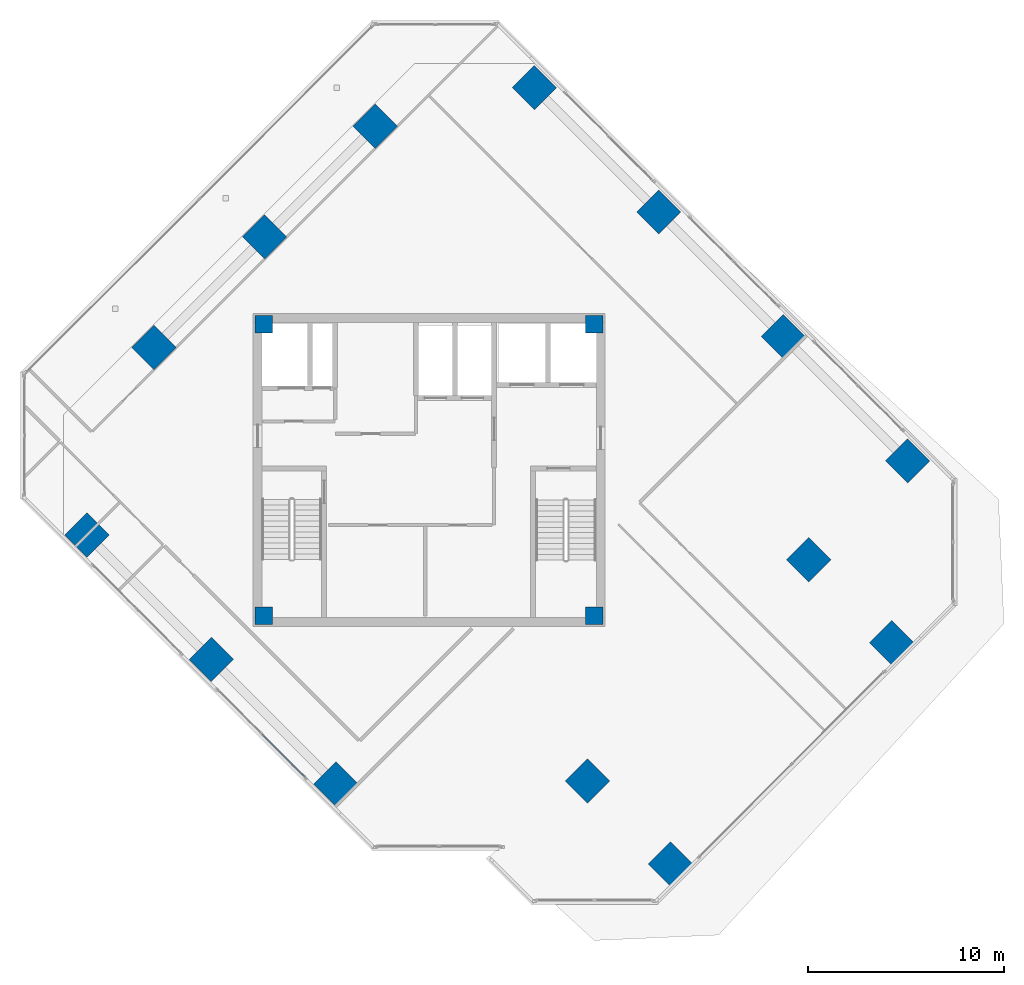
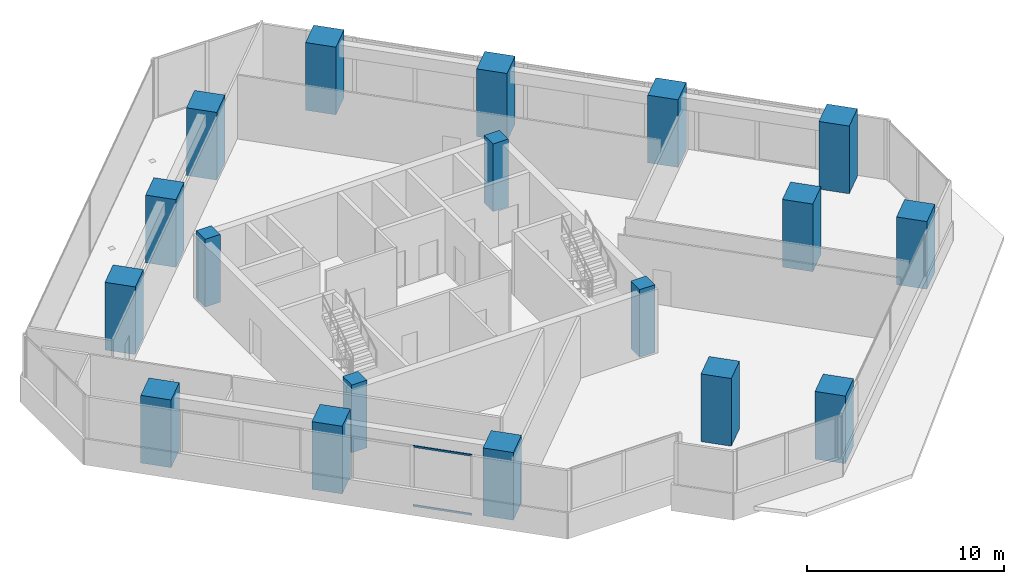
# One storey, part 1 of 17: 18 columns, 2 members, 1 element without a shape of its own.
"""IFC4 building model written with IfcOpenShell, lengths in metres."""

from ifc_helpers import new_model, si_unit, direction, frame, origin, origin_2d, place, context, subcontext, project, spatial, rectangle, hollow_rectangle, extrude, source, transform, mapped, material, material_profile, profile_set, type_object, element, aggregate, save


model = new_model("IFC4")

# Units and contexts
model_context = context("Model", 3, precision=1e-05, world=origin(), true_north=direction((0.0, 1.0)))
body_context = subcontext(model_context, "Body", "Model", "MODEL_VIEW")
ifc_project = project(units=[si_unit("LENGTHUNIT", "METRE"), si_unit("AREAUNIT", "SQUARE_METRE"), si_unit("VOLUMEUNIT", "CUBIC_METRE"), si_unit("PLANEANGLEUNIT", "RADIAN"), si_unit("MASSUNIT", "GRAM", prefix="KILO")], contexts=[model_context])

# Site, building, storey
site_placement = place(None, origin())
site = spatial("IfcSite", under=ifc_project, at=site_placement, CompositionType="ELEMENT")
building_placement = place(site_placement, origin())
building = spatial("IfcBuilding", under=site, at=building_placement, Name="Torre Montelarca", CompositionType="ELEMENT")
storey_placement = place(building_placement, frame((0.0, 0.0, 241.60009765625)))
storey = spatial("IfcBuildingStorey", under=building, at=storey_placement, Name="L54", CompositionType="ELEMENT", Elevation=241.60009765625)

# Columns
ifc_material_1 = material(Name="Concrete C55/67", Category="concrete")
ifc_material_profile_1 = material_profile(ifc_material_1, rectangle(XDim=0.89990234375, YDim=0.89990234375, at=origin_2d()), Name="RC900X900", Category="concrete")
ifc_profile_set_1 = profile_set([ifc_material_profile_1], Name="Concrete C55/67")
column_type_1 = type_object("IfcColumnType", Name="COL-RC900", PredefinedType="COLUMN", material=ifc_profile_set_1)
shared_shape_1 = source(origin(), body_context, "Body", "SweptSolid", [
    extrude(rectangle(XDim=0.89990234375, YDim=0.89990234375, at=origin_2d()), origin(), (0.0, 0.0, 1.0), 4.198486328125),
])
for number, where, z_axis, x_axis, name in (
    (1, (9.550048828125, 24.550048828125, 0.000732421875), (0.0, 0.0, 1.0), (1.0, 0.0, 0.0), "L54 Plumb Core Corner Column 2D"),
    (2, (26.449951171875, 24.550048828125, 0.000732421875), (0.0, 0.0, 1.0), (1.0, 0.0, 0.0), "L54 Plumb Core Corner Column 4D"),
    (3, (9.550048828125, 39.449951171875, 0.000732421875), (0.0, 0.0, 1.0), (1.0, 0.0, 0.0), "L54 Plumb Core Corner Column 2F"),
    (4, (26.449951171875, 39.449951171875, 0.000732421875), (0.0, 0.0, 1.0), (1.0, 0.0, 0.0), "L54 Plumb Core Corner Column 4F"),
):
    element("IfcColumn", number, at=place(storey_placement, frame(where, z_axis=z_axis, x_axis=x_axis)), inside=storey, type_object=column_type_1, Name=name, PredefinedType="COLUMN", context=body_context, shape_type="MappedRepresentation", body=[
        mapped(shared_shape_1, transform((0.0, 0.0, 0.0), scale=1.0)),
    ])
ifc_material_2 = material(Name="Concrete C70/85", Category="concrete")
ifc_material_profile_2 = material_profile(ifc_material_2, rectangle(XDim=1.60009765625, YDim=1.60009765625, at=origin_2d()), Name="RC1600X1600", Category="concrete")
ifc_profile_set_2 = profile_set([ifc_material_profile_2], Name="Concrete C70/85")
column_type_2 = type_object("IfcColumnType", Name="COL-RC1600-EXT", PredefinedType="COLUMN", material=ifc_profile_set_2)
shared_shape_2 = source(origin(), body_context, "Body", "SweptSolid", [
    extrude(rectangle(XDim=1.60009765625, YDim=1.60009765625, at=origin_2d()), origin(), (0.0, 0.0, 1.0), 4.198486328125),
])
for number, where, z_axis, x_axis, name in (
    (5, (0.498779296875, 28.676513671875, 0.000732421875), (0.0, 0.0, 1.0), (-0.707106781187, 0.707106781187, 0.0), "L54 Perimeter Mega Column 2/CS"),
    (6, (23.373779296875, 51.551513671875, 0.000732421875), (0.0, 0.0, 1.0), (-0.707106781187, 0.707106781187, 0.0), "L54 Perimeter Mega Column 2/GN"),
    (7, (6.86279296875, 22.3125, 0.000732421875), (0.0, 0.0, 1.0), (-0.707106781187, 0.707106781187, 0.0), "L54 Perimeter Mega Column 3/CS"),
    (8, (29.73779296875, 45.1875, 0.000732421875), (0.0, 0.0, 1.0), (-0.707106781187, 0.707106781187, 0.0), "L54 Perimeter Mega Column 3/GN"),
    (9, (13.226806640625, 15.94873046875, 0.000732421875), (0.0, 0.0, 1.0), (-0.707106781187, 0.707106781187, 0.0), "L54 Perimeter Mega Column 4/CS"),
    (10, (36.101806640625, 38.823486328125, 0.000732421875), (0.0, 0.0, 1.0), (-0.707106781187, 0.707106781187, 0.0), "L54 Perimeter Mega Column 4/GN"),
    (11, (42.4658203125, 32.459716796875, 0.000732421875), (0.0, 0.0, 1.0), (-0.707106781187, 0.707106781187, 0.0), "L54 Perimeter Mega Column 5/GN"),
    (12, (30.3388671875, 11.847412109375, 0.000732421875), (0.0, 0.0, 1.0), (-0.707106781187, 0.707106781187, 0.0), "L54 Perimeter Mega Column 6/D"),
    (13, (41.652587890625, 23.1611328125, 0.000732421875), (0.0, 0.0, 1.0), (-0.707106781187, 0.707106781187, 0.0), "L54 Perimeter Mega Column 6/F"),
    (14, (3.928466796875, 38.2578125, 0.000732421875), (0.0, 0.0, 1.0), (-0.707106781187, 0.707106781187, 0.0), "L54 Perimeter Mega Column 1W/D"),
    (15, (9.585205078125, 43.914794921875, 0.000732421875), (0.0, 0.0, 1.0), (-0.707106781187, 0.707106781187, 0.0), "L54 Perimeter Mega Column 1W/E"),
    (16, (15.2421875, 49.571533203125, 0.000732421875), (0.0, 0.0, 1.0), (-0.707106781187, 0.707106781187, 0.0), "L54 Perimeter Mega Column 1W/F"),
):
    element("IfcColumn", number, at=place(storey_placement, frame(where, z_axis=z_axis, x_axis=x_axis)), inside=storey, type_object=column_type_2, Name=name, PredefinedType="COLUMN", context=body_context, shape_type="MappedRepresentation", body=[
        mapped(shared_shape_2, transform((0.0, 0.0, 0.0), scale=1.0)),
    ])
ifc_material_profile_3 = material_profile(ifc_material_2, rectangle(XDim=1.60009765625, YDim=1.60009765625, at=origin_2d()), Name="RC1600X1600", Category="concrete")
ifc_profile_set_3 = profile_set([ifc_material_profile_3], Name="Concrete C70/85")
column_type_3 = type_object("IfcColumnType", Name="COL-RC1600", PredefinedType="COLUMN", material=ifc_profile_set_3)
shared_shape_3 = source(origin(), body_context, "Body", "SweptSolid", [
    extrude(rectangle(XDim=1.60009765625, YDim=1.60009765625, at=origin_2d()), origin(), (0.0, 0.0, 1.0), 4.198486328125),
])
for number, where, z_axis, x_axis, name in (
    (17, (26.09619140625, 16.090087890625, 0.000732421875), (0.0, 0.0, 1.0), (-0.707106781187, 0.707106781187, 0.0), "L54 Column 5/D"),
    (18, (37.409912109375, 27.40380859375, 0.000732421875), (0.0, 0.0, 1.0), (-0.707106781187, 0.707106781187, 0.0), "L54 Column 5/F"),
):
    element("IfcColumn", number, at=place(storey_placement, frame(where, z_axis=z_axis, x_axis=x_axis)), inside=storey, type_object=column_type_3, Name=name, PredefinedType="COLUMN", context=body_context, shape_type="MappedRepresentation", body=[
        mapped(shared_shape_3, transform((0.0, 0.0, 0.0), scale=1.0)),
    ])

# Curtain wall, members
ifc_material_3 = material(Name="Insulated low-E laminated glass", Category="glass")
curtain_wall_type = type_object("IfcCurtainWallType", Name="CW-SYS-Z3", PredefinedType="USERDEFINED", material=ifc_material_3)
curtain_wall_placement = place(storey_placement, origin())
curtain_wall = element("IfcCurtainWall", 19, at=curtain_wall_placement, inside=storey, type_object=curtain_wall_type, Name="L54 Curtain Wall Run CW-T3-L54-E01-B2", ObjectType="UNITISED GLAZING", PredefinedType="USERDEFINED")
ifc_material_4 = material(Name="Anodised aluminium AA 6063-T6", Category="aluminium")
ifc_material_profile_4 = material_profile(ifc_material_4, hollow_rectangle(XDim=0.054931640625, YDim=0.1201171875, WallThickness=0.00341796875, InnerFilletRadius=0.00341796875, OuterFilletRadius=0.007080078125, at=origin_2d()), Name="ALU55X120X3.5", Category="aluminium")
ifc_profile_set_4 = profile_set([ifc_material_profile_4], Name="Anodised aluminium AA 6063-T6")
member_type = type_object("IfcMemberType", Name="CWT-ALU120", PredefinedType="USERDEFINED", material=ifc_profile_set_4)
shared_shape_4 = source(origin(), body_context, "Body", "SweptSolid", [
    extrude(hollow_rectangle(XDim=0.054931640625, YDim=0.1201171875, WallThickness=0.00341796875, InnerFilletRadius=0.00341796875, OuterFilletRadius=0.007080078125, at=origin_2d()), origin(), (0.0, 0.0, 1.0), 3.107421875),
])
member_1_placement = place(storey_placement, frame((9.456298828125, 18.48876953125, 0.02734375), z_axis=(0.707106781187, -0.707106781187, 0.0), x_axis=(0.707106781187, 0.707106781187, 0.0)))
member_1 = element("IfcMember", 20, at=member_1_placement, type_object=member_type, Name="CW transom 2.1", ObjectType="TRANSOM", PredefinedType="USERDEFINED", context=body_context, shape_type="MappedRepresentation", body=[
    mapped(shared_shape_4, transform((0.0, 0.0, 0.0), scale=1.0)),
])
member_2_placement = place(storey_placement, frame((9.456298828125, 18.48876953125, 3.6923828125), z_axis=(0.707106781187, -0.707106781187, 0.0), x_axis=(0.707106781187, 0.707106781187, 0.0)))
member_2 = element("IfcMember", 21, at=member_2_placement, type_object=member_type, Name="CW transom 2.2", ObjectType="TRANSOM", PredefinedType="USERDEFINED", context=body_context, shape_type="MappedRepresentation", body=[
    mapped(shared_shape_4, transform((0.0, 0.0, 0.0), scale=1.0)),
])
aggregate(curtain_wall, [member_1, member_2])

save(model, "model.ifc")
